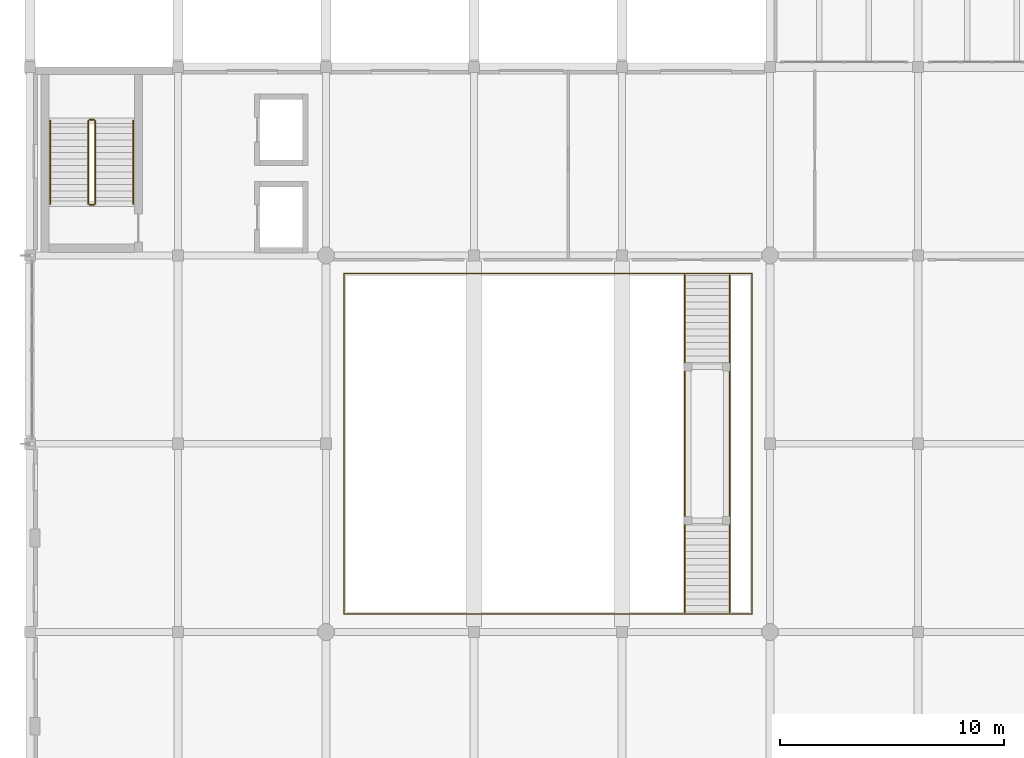
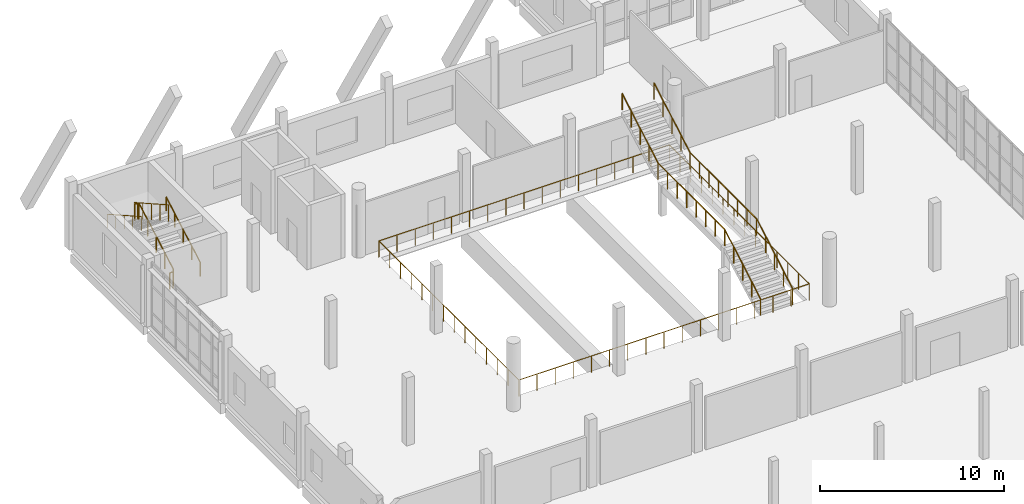
# One storey, part 67 of 76: 9 railings.
"""IFC4 building model written with IfcOpenShell, lengths in metres."""

from ifc_helpers import new_model, si_unit, direction, frame, origin, origin_2d, place, context, subcontext, project, spatial, circle, extrude, material, type_object, element, save


model = new_model("IFC4")

# Units and contexts
model_context = context("Model", 3, precision=1e-05, world=origin(), true_north=direction((0.0, 1.0)))
body_context = subcontext(model_context, "Body", "Model", "MODEL_VIEW")
ifc_project = project(units=[si_unit("LENGTHUNIT", "METRE"), si_unit("AREAUNIT", "SQUARE_METRE"), si_unit("VOLUMEUNIT", "CUBIC_METRE"), si_unit("PLANEANGLEUNIT", "RADIAN"), si_unit("MASSUNIT", "GRAM", prefix="KILO")], contexts=[model_context])

# Site, building, storey
site_placement = place(None, origin())
site = spatial("IfcSite", under=ifc_project, at=site_placement, CompositionType="ELEMENT")
building_placement = place(site_placement, origin())
building = spatial("IfcBuilding", under=site, at=building_placement, Name="Qaldarim Faculty of Natural and Applied Sciences", CompositionType="ELEMENT")
storey_placement = place(building_placement, frame((0.0, 0.0, 9.89990234375)))
storey = spatial("IfcBuildingStorey", under=building, at=storey_placement, Name="L02", CompositionType="ELEMENT", Elevation=9.89990234375)

# Railings
ifc_material = material(Name="Architectural stainless steel 316", Category="steel")
railing_type_1 = type_object("IfcRailingType", Name="GuardBalustrade-1100", PredefinedType="BALUSTRADE", material=ifc_material)
railing_1_placement = place(storey_placement, frame((14.0, 59.60009765625, 0.0)))
element("IfcRailing", 1, at=railing_1_placement, inside=storey, type_object=railing_type_1, Name="Safety guard balustrade GRD-ATRIUM-L02", PredefinedType="BALUSTRADE", context=body_context, shape_type="SweptSolid", body=[
    extrude(circle(Radius=0.02392578125, at=origin_2d()), frame((0.00390625, 0.0, 1.076171875), z_axis=(1.0, 0.0, 0.0), x_axis=(0.0, 1.0, 0.0)), (0.0, 0.0, 1.0), 18.19189453125),
    extrude(circle(Radius=0.02392578125, at=origin_2d()), frame((18.199951171875, 0.00390625, 1.076171875), z_axis=(0.0, 1.0, 0.0), x_axis=(-1.0, 0.0, 0.0)), (0.0, 0.0, 1.0), 15.19189453125),
    extrude(circle(Radius=0.02392578125, at=origin_2d()), frame((18.196044921875, 15.199951171875, 1.076171875), z_axis=(-1.0, 0.0, 0.0), x_axis=(0.0, -1.0, 0.0)), (0.0, 0.0, 1.0), 18.19189453125),
    extrude(circle(Radius=0.02392578125, at=origin_2d()), frame((0.0, 15.196044921875, 1.076171875), z_axis=(0.0, -1.0, 0.0), x_axis=(1.0, 0.0, 0.0)), (0.0, 0.0, 1.0), 15.19189453125),
    extrude(circle(Radius=0.02099609375, at=origin_2d()), origin(), (0.0, 0.0, 1.0), 1.052001953125),
    extrude(circle(Radius=0.02099609375, at=origin_2d()), frame((1.137451171875, 0.0, 0.0)), (0.0, 0.0, 1.0), 1.052001953125),
    extrude(circle(Radius=0.02099609375, at=origin_2d()), frame((2.27490234375, 0.0, 0.0)), (0.0, 0.0, 1.0), 1.052001953125),
    extrude(circle(Radius=0.02099609375, at=origin_2d()), frame((3.41259765625, 0.0, 0.0)), (0.0, 0.0, 1.0), 1.052001953125),
    extrude(circle(Radius=0.02099609375, at=origin_2d()), frame((4.550048828125, 0.0, 0.0)), (0.0, 0.0, 1.0), 1.052001953125),
    extrude(circle(Radius=0.02099609375, at=origin_2d()), frame((5.6875, 0.0, 0.0)), (0.0, 0.0, 1.0), 1.052001953125),
    extrude(circle(Radius=0.02099609375, at=origin_2d()), frame((6.824951171875, 0.0, 0.0)), (0.0, 0.0, 1.0), 1.052001953125),
    extrude(circle(Radius=0.02099609375, at=origin_2d()), frame((7.96240234375, 0.0, 0.0)), (0.0, 0.0, 1.0), 1.052001953125),
    extrude(circle(Radius=0.02099609375, at=origin_2d()), frame((9.10009765625, 0.0, 0.0)), (0.0, 0.0, 1.0), 1.052001953125),
    extrude(circle(Radius=0.02099609375, at=origin_2d()), frame((10.237548828125, 0.0, 0.0)), (0.0, 0.0, 1.0), 1.052001953125),
    extrude(circle(Radius=0.02099609375, at=origin_2d()), frame((11.375, 0.0, 0.0)), (0.0, 0.0, 1.0), 1.052001953125),
    extrude(circle(Radius=0.02099609375, at=origin_2d()), frame((12.512451171875, 0.0, 0.0)), (0.0, 0.0, 1.0), 1.052001953125),
    extrude(circle(Radius=0.02099609375, at=origin_2d()), frame((13.64990234375, 0.0, 0.0)), (0.0, 0.0, 1.0), 1.052001953125),
    extrude(circle(Radius=0.02099609375, at=origin_2d()), frame((14.787353515625, 0.0, 0.0)), (0.0, 0.0, 1.0), 1.052001953125),
    extrude(circle(Radius=0.02099609375, at=origin_2d()), frame((15.925048828125, 0.0, 0.0)), (0.0, 0.0, 1.0), 1.052001953125),
    extrude(circle(Radius=0.02099609375, at=origin_2d()), frame((17.0625, 0.0, 0.0)), (0.0, 0.0, 1.0), 1.052001953125),
    extrude(circle(Radius=0.02099609375, at=origin_2d()), frame((18.199951171875, 0.0, 0.0)), (0.0, 0.0, 1.0), 1.052001953125),
    extrude(circle(Radius=0.02099609375, at=origin_2d()), frame((18.199951171875, 1.169189453125, 0.0)), (0.0, 0.0, 1.0), 1.052001953125),
    extrude(circle(Radius=0.02099609375, at=origin_2d()), frame((18.199951171875, 2.33837890625, 0.0)), (0.0, 0.0, 1.0), 1.052001953125),
    extrude(circle(Radius=0.02099609375, at=origin_2d()), frame((18.199951171875, 3.507568359375, 0.0)), (0.0, 0.0, 1.0), 1.052001953125),
    extrude(circle(Radius=0.02099609375, at=origin_2d()), frame((18.199951171875, 4.677001953125, 0.0)), (0.0, 0.0, 1.0), 1.052001953125),
    extrude(circle(Radius=0.02099609375, at=origin_2d()), frame((18.199951171875, 5.84619140625, 0.0)), (0.0, 0.0, 1.0), 1.052001953125),
    extrude(circle(Radius=0.02099609375, at=origin_2d()), frame((18.199951171875, 7.015380859375, 0.0)), (0.0, 0.0, 1.0), 1.052001953125),
    extrude(circle(Radius=0.02099609375, at=origin_2d()), frame((18.199951171875, 8.1845703125, 0.0)), (0.0, 0.0, 1.0), 1.052001953125),
    extrude(circle(Radius=0.02099609375, at=origin_2d()), frame((18.199951171875, 9.353759765625, 0.0)), (0.0, 0.0, 1.0), 1.052001953125),
    extrude(circle(Radius=0.02099609375, at=origin_2d()), frame((18.199951171875, 10.52294921875, 0.0)), (0.0, 0.0, 1.0), 1.052001953125),
    extrude(circle(Radius=0.02099609375, at=origin_2d()), frame((18.199951171875, 11.6923828125, 0.0)), (0.0, 0.0, 1.0), 1.052001953125),
    extrude(circle(Radius=0.02099609375, at=origin_2d()), frame((18.199951171875, 12.861572265625, 0.0)), (0.0, 0.0, 1.0), 1.052001953125),
    extrude(circle(Radius=0.02099609375, at=origin_2d()), frame((18.199951171875, 14.03076171875, 0.0)), (0.0, 0.0, 1.0), 1.052001953125),
    extrude(circle(Radius=0.02099609375, at=origin_2d()), frame((18.199951171875, 15.199951171875, 0.0)), (0.0, 0.0, 1.0), 1.052001953125),
    extrude(circle(Radius=0.02099609375, at=origin_2d()), frame((17.0625, 15.199951171875, 0.0)), (0.0, 0.0, 1.0), 1.052001953125),
    extrude(circle(Radius=0.02099609375, at=origin_2d()), frame((15.925048828125, 15.199951171875, 0.0)), (0.0, 0.0, 1.0), 1.052001953125),
    extrude(circle(Radius=0.02099609375, at=origin_2d()), frame((14.787353515625, 15.199951171875, 0.0)), (0.0, 0.0, 1.0), 1.052001953125),
    extrude(circle(Radius=0.02099609375, at=origin_2d()), frame((13.64990234375, 15.199951171875, 0.0)), (0.0, 0.0, 1.0), 1.052001953125),
    extrude(circle(Radius=0.02099609375, at=origin_2d()), frame((12.512451171875, 15.199951171875, 0.0)), (0.0, 0.0, 1.0), 1.052001953125),
    extrude(circle(Radius=0.02099609375, at=origin_2d()), frame((11.375, 15.199951171875, 0.0)), (0.0, 0.0, 1.0), 1.052001953125),
    extrude(circle(Radius=0.02099609375, at=origin_2d()), frame((10.237548828125, 15.199951171875, 0.0)), (0.0, 0.0, 1.0), 1.052001953125),
    extrude(circle(Radius=0.02099609375, at=origin_2d()), frame((9.10009765625, 15.199951171875, 0.0)), (0.0, 0.0, 1.0), 1.052001953125),
    extrude(circle(Radius=0.02099609375, at=origin_2d()), frame((7.96240234375, 15.199951171875, 0.0)), (0.0, 0.0, 1.0), 1.052001953125),
    extrude(circle(Radius=0.02099609375, at=origin_2d()), frame((6.824951171875, 15.199951171875, 0.0)), (0.0, 0.0, 1.0), 1.052001953125),
    extrude(circle(Radius=0.02099609375, at=origin_2d()), frame((5.6875, 15.199951171875, 0.0)), (0.0, 0.0, 1.0), 1.052001953125),
    extrude(circle(Radius=0.02099609375, at=origin_2d()), frame((4.550048828125, 15.199951171875, 0.0)), (0.0, 0.0, 1.0), 1.052001953125),
    extrude(circle(Radius=0.02099609375, at=origin_2d()), frame((3.41259765625, 15.199951171875, 0.0)), (0.0, 0.0, 1.0), 1.052001953125),
    extrude(circle(Radius=0.02099609375, at=origin_2d()), frame((2.27490234375, 15.199951171875, 0.0)), (0.0, 0.0, 1.0), 1.052001953125),
    extrude(circle(Radius=0.02099609375, at=origin_2d()), frame((1.137451171875, 15.199951171875, 0.0)), (0.0, 0.0, 1.0), 1.052001953125),
    extrude(circle(Radius=0.02099609375, at=origin_2d()), frame((0.0, 15.199951171875, 0.0)), (0.0, 0.0, 1.0), 1.052001953125),
    extrude(circle(Radius=0.02099609375, at=origin_2d()), frame((0.0, 14.03076171875, 0.0)), (0.0, 0.0, 1.0), 1.052001953125),
    extrude(circle(Radius=0.02099609375, at=origin_2d()), frame((0.0, 12.861572265625, 0.0)), (0.0, 0.0, 1.0), 1.052001953125),
    extrude(circle(Radius=0.02099609375, at=origin_2d()), frame((0.0, 11.6923828125, 0.0)), (0.0, 0.0, 1.0), 1.052001953125),
    extrude(circle(Radius=0.02099609375, at=origin_2d()), frame((0.0, 10.52294921875, 0.0)), (0.0, 0.0, 1.0), 1.052001953125),
    extrude(circle(Radius=0.02099609375, at=origin_2d()), frame((0.0, 9.353759765625, 0.0)), (0.0, 0.0, 1.0), 1.052001953125),
    extrude(circle(Radius=0.02099609375, at=origin_2d()), frame((0.0, 8.1845703125, 0.0)), (0.0, 0.0, 1.0), 1.052001953125),
    extrude(circle(Radius=0.02099609375, at=origin_2d()), frame((0.0, 7.015380859375, 0.0)), (0.0, 0.0, 1.0), 1.052001953125),
    extrude(circle(Radius=0.02099609375, at=origin_2d()), frame((0.0, 5.84619140625, 0.0)), (0.0, 0.0, 1.0), 1.052001953125),
    extrude(circle(Radius=0.02099609375, at=origin_2d()), frame((0.0, 4.677001953125, 0.0)), (0.0, 0.0, 1.0), 1.052001953125),
    extrude(circle(Radius=0.02099609375, at=origin_2d()), frame((0.0, 3.507568359375, 0.0)), (0.0, 0.0, 1.0), 1.052001953125),
    extrude(circle(Radius=0.02099609375, at=origin_2d()), frame((0.0, 2.33837890625, 0.0)), (0.0, 0.0, 1.0), 1.052001953125),
    extrude(circle(Radius=0.02099609375, at=origin_2d()), frame((0.0, 1.169189453125, 0.0)), (0.0, 0.0, 1.0), 1.052001953125),
])
railing_2_placement = place(storey_placement, frame((2.89990234375, 77.89990234375, 0.16015625)))
element("IfcRailing", 2, at=railing_2_placement, inside=storey, type_object=railing_type_1, Name="ST-D2 L02 stair well guard 1", PredefinedType="BALUSTRADE", context=body_context, shape_type="SweptSolid", body=[
    extrude(circle(Radius=0.02392578125, at=origin_2d()), frame((0.0, 0.0, 1.076171875), z_axis=(0.0, 0.870998619023, 0.491285462496), x_axis=(-1.0, 0.0, 0.0)), (0.0, 0.0, 1.0), 4.25390625),
    extrude(circle(Radius=0.02099609375, at=origin_2d()), origin(), (0.0, 0.0, 1.0), 1.052001953125),
    extrude(circle(Radius=0.02099609375, at=origin_2d()), frame((0.0, 0.92626953125, 0.5224609375)), (0.0, 0.0, 1.0), 1.052001953125),
    extrude(circle(Radius=0.02099609375, at=origin_2d()), frame((0.0, 1.8525390625, 1.044921875)), (0.0, 0.0, 1.0), 1.052001953125),
    extrude(circle(Radius=0.02099609375, at=origin_2d()), frame((0.0, 2.77880859375, 1.5673828125)), (0.0, 0.0, 1.0), 1.052001953125),
    extrude(circle(Radius=0.02099609375, at=origin_2d()), frame((0.0, 3.705078125, 2.08984375)), (0.0, 0.0, 1.0), 1.052001953125),
])
railing_3_placement = place(storey_placement, frame((2.85009765625, 81.655029296875, 2.25)))
element("IfcRailing", 3, at=railing_3_placement, inside=storey, type_object=railing_type_1, Name="ST-D2 L02 stair well guard 2", PredefinedType="BALUSTRADE", context=body_context, shape_type="SweptSolid", body=[
    extrude(circle(Radius=0.02392578125, at=origin_2d()), frame((0.0, 0.0, 1.076171875), z_axis=(-1.0, 0.0, 0.0), x_axis=(0.0, -1.0, 0.0)), (0.0, 0.0, 1.0), 0.2001953125),
    extrude(circle(Radius=0.02099609375, at=origin_2d()), origin(), (0.0, 0.0, 1.0), 1.052001953125),
    extrude(circle(Radius=0.02099609375, at=origin_2d()), frame((-0.2001953125, 0.0, 0.0)), (0.0, 0.0, 1.0), 1.052001953125),
])
railing_4_placement = place(storey_placement, frame((2.60009765625, 81.60498046875, 2.41015625)))
element("IfcRailing", 4, at=railing_4_placement, inside=storey, type_object=railing_type_1, Name="ST-D2 L02 stair well guard 3", PredefinedType="BALUSTRADE", context=body_context, shape_type="SweptSolid", body=[
    extrude(circle(Radius=0.02392578125, at=origin_2d()), frame((0.0, 0.0, 1.076171875), z_axis=(0.0, -0.870998619023, 0.491285462496), x_axis=(1.0, 0.0, 0.0)), (0.0, 0.0, 1.0), 4.25390625),
    extrude(circle(Radius=0.02099609375, at=origin_2d()), origin(), (0.0, 0.0, 1.0), 1.052001953125),
    extrude(circle(Radius=0.02099609375, at=origin_2d()), frame((0.0, -0.92626953125, 0.5224609375)), (0.0, 0.0, 1.0), 1.052001953125),
    extrude(circle(Radius=0.02099609375, at=origin_2d()), frame((0.0, -1.8525390625, 1.044921875)), (0.0, 0.0, 1.0), 1.052001953125),
    extrude(circle(Radius=0.02099609375, at=origin_2d()), frame((0.0, -2.77880859375, 1.5673828125)), (0.0, 0.0, 1.0), 1.052001953125),
    extrude(circle(Radius=0.02099609375, at=origin_2d()), frame((0.0, -3.705078125, 2.08984375)), (0.0, 0.0, 1.0), 1.052001953125),
])
railing_5_placement = place(storey_placement, frame((2.85009765625, 77.85009765625, 0.0)))
element("IfcRailing", 5, at=railing_5_placement, inside=storey, type_object=railing_type_1, Name="ST-D2 L02 stair well guard 4", PredefinedType="BALUSTRADE", context=body_context, shape_type="SweptSolid", body=[
    extrude(circle(Radius=0.02392578125, at=origin_2d()), frame((0.0, 0.0, 1.076171875), z_axis=(-1.0, 0.0, 0.0), x_axis=(0.0, -1.0, 0.0)), (0.0, 0.0, 1.0), 0.2001953125),
    extrude(circle(Radius=0.02099609375, at=origin_2d()), origin(), (0.0, 0.0, 1.0), 1.052001953125),
    extrude(circle(Radius=0.02099609375, at=origin_2d()), frame((-0.2001953125, 0.0, 0.0)), (0.0, 0.0, 1.0), 1.052001953125),
])
railing_6_placement = place(storey_placement, frame((29.199951171875, 59.68505859375, 0.0)))
element("IfcRailing", 6, at=railing_6_placement, inside=storey, type_object=railing_type_1, Name="Atrium monumental stair L02 guard balustrade W", PredefinedType="BALUSTRADE", context=body_context, shape_type="SweptSolid", body=[
    extrude(circle(Radius=0.02392578125, at=origin_2d()), frame((0.0, 0.00341796875, 1.078125), z_axis=(0.0, 0.866180169578, 0.49973184192), x_axis=(-1.0, 0.0, 0.0)), (0.0, 0.0, 1.0), 4.494384765625),
    extrude(circle(Radius=0.02392578125, at=origin_2d()), frame((0.0, 3.90380859375, 3.326171875), z_axis=(0.0, 1.0, 0.0), x_axis=(-1.0, 0.0, 0.0)), (0.0, 0.0, 1.0), 7.221923828125),
    extrude(circle(Radius=0.02392578125, at=origin_2d()), frame((0.0, 11.13330078125, 3.328125), z_axis=(0.0, 0.866193710181, 0.499708371395), x_axis=(-1.0, 0.0, 0.0)), (0.0, 0.0, 1.0), 4.49462890625),
    extrude(circle(Radius=0.02099609375, at=origin_2d()), origin(), (0.0, 0.0, 1.0), 1.052001953125),
    extrude(circle(Radius=0.02099609375, at=origin_2d()), frame((0.0, 0.97509765625, 0.5625)), (0.0, 0.0, 1.0), 1.052001953125),
    extrude(circle(Radius=0.02099609375, at=origin_2d()), frame((0.0, 1.949951171875, 1.125)), (0.0, 0.0, 1.0), 1.052001953125),
    extrude(circle(Radius=0.02099609375, at=origin_2d()), frame((0.0, 2.9248046875, 1.6875)), (0.0, 0.0, 1.0), 1.052001953125),
    extrude(circle(Radius=0.02099609375, at=origin_2d()), frame((0.0, 3.89990234375, 2.25)), (0.0, 0.0, 1.0), 1.052001953125),
    extrude(circle(Radius=0.02099609375, at=origin_2d()), frame((0.0, 4.932861328125, 2.25)), (0.0, 0.0, 1.0), 1.052001953125),
    extrude(circle(Radius=0.02099609375, at=origin_2d()), frame((0.0, 5.965576171875, 2.25)), (0.0, 0.0, 1.0), 1.052001953125),
    extrude(circle(Radius=0.02099609375, at=origin_2d()), frame((0.0, 6.99853515625, 2.25)), (0.0, 0.0, 1.0), 1.052001953125),
    extrude(circle(Radius=0.02099609375, at=origin_2d()), frame((0.0, 8.03125, 2.25)), (0.0, 0.0, 1.0), 1.052001953125),
    extrude(circle(Radius=0.02099609375, at=origin_2d()), frame((0.0, 9.064208984375, 2.25)), (0.0, 0.0, 1.0), 1.052001953125),
    extrude(circle(Radius=0.02099609375, at=origin_2d()), frame((0.0, 10.096923828125, 2.25)), (0.0, 0.0, 1.0), 1.052001953125),
    extrude(circle(Radius=0.02099609375, at=origin_2d()), frame((0.0, 11.1298828125, 2.25)), (0.0, 0.0, 1.0), 1.052001953125),
    extrude(circle(Radius=0.02099609375, at=origin_2d()), frame((0.0, 12.10498046875, 2.8125)), (0.0, 0.0, 1.0), 1.052001953125),
    extrude(circle(Radius=0.02099609375, at=origin_2d()), frame((0.0, 13.080078125, 3.375)), (0.0, 0.0, 1.0), 1.052001953125),
    extrude(circle(Radius=0.02099609375, at=origin_2d()), frame((0.0, 14.054931640625, 3.9375)), (0.0, 0.0, 1.0), 1.052001953125),
    extrude(circle(Radius=0.02099609375, at=origin_2d()), frame((0.0, 15.030029296875, 4.5)), (0.0, 0.0, 1.0), 1.052001953125),
])
railing_7_placement = place(storey_placement, frame((31.199951171875, 59.68505859375, 0.0)))
element("IfcRailing", 7, at=railing_7_placement, inside=storey, type_object=railing_type_1, Name="Atrium monumental stair L02 guard balustrade E", PredefinedType="BALUSTRADE", context=body_context, shape_type="SweptSolid", body=[
    extrude(circle(Radius=0.02392578125, at=origin_2d()), frame((0.0, 0.00341796875, 1.078125), z_axis=(0.0, 0.866180169578, 0.49973184192), x_axis=(-1.0, 0.0, 0.0)), (0.0, 0.0, 1.0), 4.494384765625),
    extrude(circle(Radius=0.02392578125, at=origin_2d()), frame((0.0, 3.90380859375, 3.326171875), z_axis=(0.0, 1.0, 0.0), x_axis=(-1.0, 0.0, 0.0)), (0.0, 0.0, 1.0), 7.221923828125),
    extrude(circle(Radius=0.02392578125, at=origin_2d()), frame((0.0, 11.13330078125, 3.328125), z_axis=(0.0, 0.866193710181, 0.499708371395), x_axis=(-1.0, 0.0, 0.0)), (0.0, 0.0, 1.0), 4.49462890625),
    extrude(circle(Radius=0.02099609375, at=origin_2d()), origin(), (0.0, 0.0, 1.0), 1.052001953125),
    extrude(circle(Radius=0.02099609375, at=origin_2d()), frame((0.0, 0.97509765625, 0.5625)), (0.0, 0.0, 1.0), 1.052001953125),
    extrude(circle(Radius=0.02099609375, at=origin_2d()), frame((0.0, 1.949951171875, 1.125)), (0.0, 0.0, 1.0), 1.052001953125),
    extrude(circle(Radius=0.02099609375, at=origin_2d()), frame((0.0, 2.9248046875, 1.6875)), (0.0, 0.0, 1.0), 1.052001953125),
    extrude(circle(Radius=0.02099609375, at=origin_2d()), frame((0.0, 3.89990234375, 2.25)), (0.0, 0.0, 1.0), 1.052001953125),
    extrude(circle(Radius=0.02099609375, at=origin_2d()), frame((0.0, 4.932861328125, 2.25)), (0.0, 0.0, 1.0), 1.052001953125),
    extrude(circle(Radius=0.02099609375, at=origin_2d()), frame((0.0, 5.965576171875, 2.25)), (0.0, 0.0, 1.0), 1.052001953125),
    extrude(circle(Radius=0.02099609375, at=origin_2d()), frame((0.0, 6.99853515625, 2.25)), (0.0, 0.0, 1.0), 1.052001953125),
    extrude(circle(Radius=0.02099609375, at=origin_2d()), frame((0.0, 8.03125, 2.25)), (0.0, 0.0, 1.0), 1.052001953125),
    extrude(circle(Radius=0.02099609375, at=origin_2d()), frame((0.0, 9.064208984375, 2.25)), (0.0, 0.0, 1.0), 1.052001953125),
    extrude(circle(Radius=0.02099609375, at=origin_2d()), frame((0.0, 10.096923828125, 2.25)), (0.0, 0.0, 1.0), 1.052001953125),
    extrude(circle(Radius=0.02099609375, at=origin_2d()), frame((0.0, 11.1298828125, 2.25)), (0.0, 0.0, 1.0), 1.052001953125),
    extrude(circle(Radius=0.02099609375, at=origin_2d()), frame((0.0, 12.10498046875, 2.8125)), (0.0, 0.0, 1.0), 1.052001953125),
    extrude(circle(Radius=0.02099609375, at=origin_2d()), frame((0.0, 13.080078125, 3.375)), (0.0, 0.0, 1.0), 1.052001953125),
    extrude(circle(Radius=0.02099609375, at=origin_2d()), frame((0.0, 14.054931640625, 3.9375)), (0.0, 0.0, 1.0), 1.052001953125),
    extrude(circle(Radius=0.02099609375, at=origin_2d()), frame((0.0, 15.030029296875, 4.5)), (0.0, 0.0, 1.0), 1.052001953125),
])
railing_type_2 = type_object("IfcRailingType", Name="StairHandrail-920", PredefinedType="HANDRAIL", material=ifc_material)
railing_8_placement = place(storey_placement, frame((4.60009765625, 77.89990234375, 0.16015625)))
element("IfcRailing", 8, at=railing_8_placement, inside=storey, type_object=railing_type_2, Name="ST-D2 L02 stair handrail 1", PredefinedType="HANDRAIL", context=body_context, shape_type="SweptSolid", body=[
    extrude(circle(Radius=0.02392578125, at=origin_2d()), frame((0.0, 0.0, 0.89599609375), z_axis=(0.0, 0.870998619023, 0.491285462496), x_axis=(-1.0, 0.0, 0.0)), (0.0, 0.0, 1.0), 4.25390625),
    extrude(circle(Radius=0.02099609375, at=origin_2d()), origin(), (0.0, 0.0, 1.0), 0.871826171875),
    extrude(circle(Radius=0.02099609375, at=origin_2d()), frame((0.0, 0.92626953125, 0.5224609375)), (0.0, 0.0, 1.0), 0.871826171875),
    extrude(circle(Radius=0.02099609375, at=origin_2d()), frame((0.0, 1.8525390625, 1.044921875)), (0.0, 0.0, 1.0), 0.871826171875),
    extrude(circle(Radius=0.02099609375, at=origin_2d()), frame((0.0, 2.77880859375, 1.5673828125)), (0.0, 0.0, 1.0), 0.871826171875),
    extrude(circle(Radius=0.02099609375, at=origin_2d()), frame((0.0, 3.705078125, 2.08984375)), (0.0, 0.0, 1.0), 0.871826171875),
])
railing_9_placement = place(storey_placement, frame((0.89990234375, 81.60498046875, 2.41015625)))
element("IfcRailing", 9, at=railing_9_placement, inside=storey, type_object=railing_type_2, Name="ST-D2 L02 stair handrail 2", PredefinedType="HANDRAIL", context=body_context, shape_type="SweptSolid", body=[
    extrude(circle(Radius=0.02392578125, at=origin_2d()), frame((0.0, 0.0, 0.89599609375), z_axis=(0.0, -0.870998619023, 0.491285462496), x_axis=(1.0, 0.0, 0.0)), (0.0, 0.0, 1.0), 4.25390625),
    extrude(circle(Radius=0.02099609375, at=origin_2d()), origin(), (0.0, 0.0, 1.0), 0.871826171875),
    extrude(circle(Radius=0.02099609375, at=origin_2d()), frame((0.0, -0.92626953125, 0.5224609375)), (0.0, 0.0, 1.0), 0.871826171875),
    extrude(circle(Radius=0.02099609375, at=origin_2d()), frame((0.0, -1.8525390625, 1.044921875)), (0.0, 0.0, 1.0), 0.871826171875),
    extrude(circle(Radius=0.02099609375, at=origin_2d()), frame((0.0, -2.77880859375, 1.5673828125)), (0.0, 0.0, 1.0), 0.871826171875),
    extrude(circle(Radius=0.02099609375, at=origin_2d()), frame((0.0, -3.705078125, 2.08984375)), (0.0, 0.0, 1.0), 0.871826171875),
])

save(model, "model.ifc")
